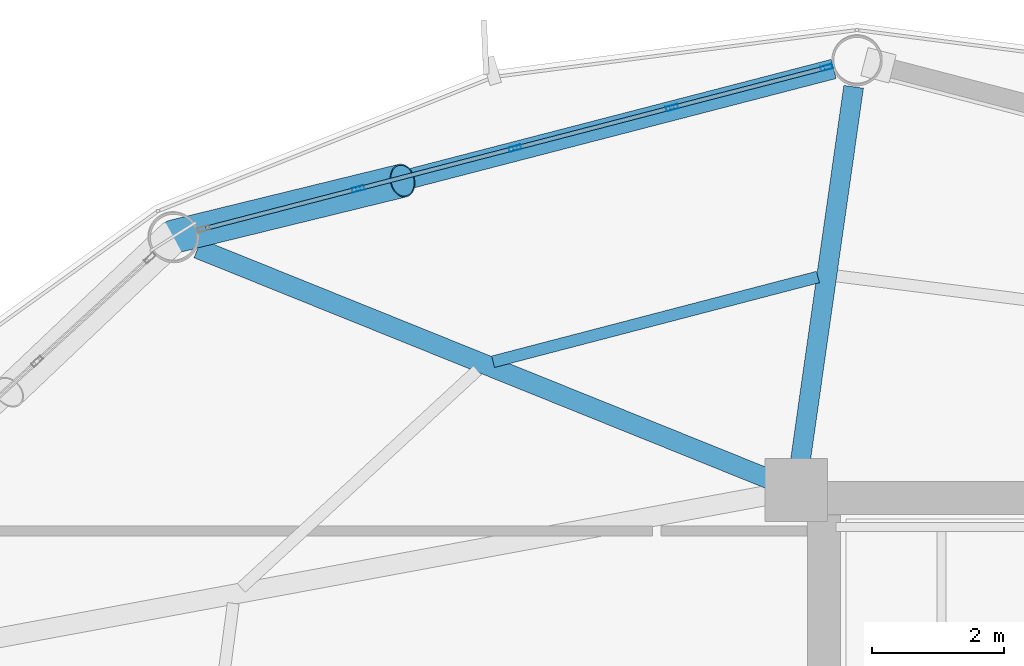
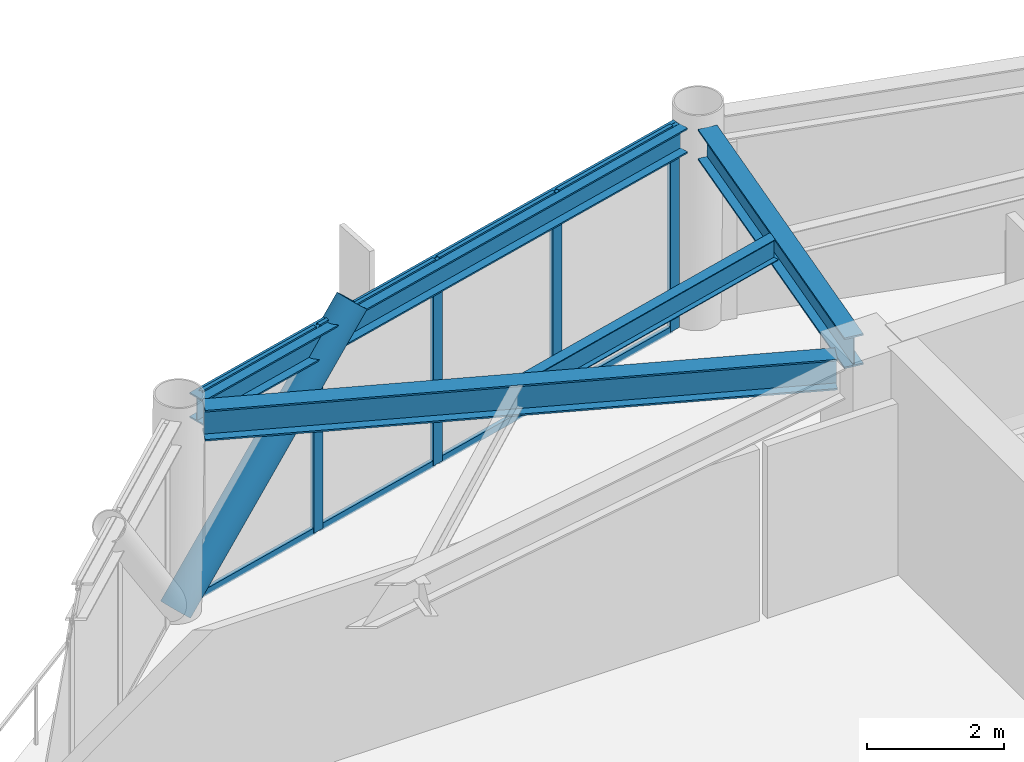
# One storey, part 17 of 25: 13 members, 4 beams, 1 element without a shape of its own.
"""IFC4 building model written with IfcOpenShell, lengths in metres."""

from ifc_helpers import new_model, si_unit, direction, frame, origin, origin_2d, place, context, subcontext, project, spatial, hollow_rectangle, hollow_circle, i_section, extrude, material, layer, layer_set, material_profile, profile_set, type_object, element, aggregate, save


model = new_model("IFC4")

# Units and contexts
model_context = context("Model", 3, precision=1e-05, world=origin(), true_north=direction((0.0, 1.0)))
body_context = subcontext(model_context, "Body", "Model", "MODEL_VIEW")
ifc_project = project(units=[si_unit("LENGTHUNIT", "METRE"), si_unit("AREAUNIT", "SQUARE_METRE"), si_unit("VOLUMEUNIT", "CUBIC_METRE"), si_unit("PLANEANGLEUNIT", "RADIAN"), si_unit("MASSUNIT", "GRAM", prefix="KILO")], contexts=[model_context])

# Site, building, storey
site_placement = place(None, origin())
site = spatial("IfcSite", under=ifc_project, at=site_placement, CompositionType="ELEMENT")
building_placement = place(site_placement, origin())
building = spatial("IfcBuilding", under=site, at=building_placement, Name="Varnakorn Sky Granary", CompositionType="ELEMENT")
storey_placement = place(building_placement, frame((0.0, 0.0, 146.10009765625)))
storey = spatial("IfcBuildingStorey", under=building, at=storey_placement, Name="L36", CompositionType="ELEMENT", Elevation=146.10009765625)

# Beams
ifc_material_1 = material(Name="Steel S355JR", Category="steel")
ifc_material_profile_1 = material_profile(ifc_material_1, i_section(OverallWidth=0.300048828125, OverallDepth=0.550048828125, WebThickness=0.014892578125, FlangeThickness=0.029052734375, at=origin_2d()), Name="HE 550 B")
ifc_profile_set_1 = profile_set([ifc_material_profile_1], Name="Steel S355JR")
beam_type_1 = type_object("IfcBeamType", Name="BM-RAD-Z3", PredefinedType="BEAM", material=ifc_profile_set_1)
beam_1_placement = place(storey_placement, frame((-2.36083984375, 13.035888671875, 3.364990234375), z_axis=(0.140826587961, 0.990034278257, 0.0), x_axis=(-0.990034278257, 0.140826587961, 0.0)))
element("IfcBeam", 1, at=beam_1_placement, inside=storey, type_object=beam_type_1, Name="Radial Floor Girder RG04 L36", PredefinedType="BEAM", context=body_context, shape_type="SweptSolid", body=[
    extrude(i_section(OverallWidth=0.300048828125, OverallDepth=0.550048828125, WebThickness=0.014892578125, FlangeThickness=0.029052734375, at=origin_2d()), origin(), (0.0, 0.0, 1.0), 5.7470703125),
])
beam_2_placement = place(storey_placement, frame((-2.8095703125, 12.777099609375, 3.364990234375), z_axis=(-0.927376487886, 0.374129455825, 0.0), x_axis=(-0.374129455825, -0.927376487886, 0.0)))
element("IfcBeam", 2, at=beam_2_placement, inside=storey, type_object=beam_type_1, Name="Radial Floor Girder RG05 L36", PredefinedType="BEAM", context=body_context, shape_type="SweptSolid", body=[
    extrude(i_section(OverallWidth=0.300048828125, OverallDepth=0.550048828125, WebThickness=0.014892578125, FlangeThickness=0.029052734375, at=origin_2d()), origin(), (0.0, 0.0, 1.0), 9.3544921875),
])
ifc_material_profile_2 = material_profile(ifc_material_1, i_section(OverallWidth=0.179931640625, OverallDepth=0.39990234375, WebThickness=0.008544921875, FlangeThickness=0.013427734375, at=origin_2d()), Name="IPE 400")
ifc_profile_set_2 = profile_set([ifc_material_profile_2], Name="Steel S355JR")
beam_type_2 = type_object("IfcBeamType", Name="BM-SEC-Z3", PredefinedType="BEAM", material=ifc_profile_set_2)
beam_3_placement = place(storey_placement, frame((-2.091796875, 15.845458984375, 3.43994140625), z_axis=(-0.967629509106, -0.252374985106, 0.0), x_axis=(0.252374985106, -0.967629509106, 0.0)))
element("IfcBeam", 3, at=beam_3_placement, inside=storey, type_object=beam_type_2, Name="Secondary Floor Chord Beam MSB04 L36", PredefinedType="BEAM", context=body_context, shape_type="SweptSolid", body=[
    extrude(i_section(OverallWidth=0.179931640625, OverallDepth=0.39990234375, WebThickness=0.008544921875, FlangeThickness=0.013427734375, at=origin_2d()), origin(), (0.0, 0.0, 1.0), 5.08447265625),
])
ifc_material_profile_3 = material_profile(ifc_material_1, i_section(OverallWidth=0.300048828125, OverallDepth=0.449951171875, WebThickness=0.013916015625, FlangeThickness=0.02587890625, at=origin_2d()), Name="HE 450 B")
ifc_profile_set_3 = profile_set([ifc_material_profile_3], Name="Steel S355JR")
beam_type_3 = type_object("IfcBeamType", Name="BM-SPD-Z3", PredefinedType="SPANDREL", material=ifc_profile_set_3)
beam_4_placement = place(storey_placement, frame((-1.854248046875, 18.99609375, 3.414794921875), z_axis=(-0.968056139534, -0.250733545243, 0.0), x_axis=(0.250733545243, -0.968056139534, 0.0)))
element("IfcBeam", 4, at=beam_4_placement, inside=storey, type_object=beam_type_3, Name="Perimeter Spandrel Ring Beam RB04 L36", PredefinedType="SPANDREL", context=body_context, shape_type="SweptSolid", body=[
    extrude(i_section(OverallWidth=0.300048828125, OverallDepth=0.449951171875, WebThickness=0.013916015625, FlangeThickness=0.02587890625, at=origin_2d()), origin(), (0.0, 0.0, 1.0), 9.932861328125),
])

# Curtain wall, members
ifc_material_2 = material(Name="Anodised Bronze Aluminium Alloy 6063-T6", Category="aluminium")
ifc_layer = layer(ifc_material_2, 0.179931640625, Name="Anodised Bronze Aluminium Alloy 6063-T6")
ifc_layer_set = layer_set([ifc_layer], Name="Anodised Bronze Aluminium Alloy 6063-T6")
curtain_wall_type = type_object("IfcCurtainWallType", Name="CW-FRM-2", PredefinedType="USERDEFINED", material=ifc_layer_set)
curtain_wall_placement = place(storey_placement, origin())
curtain_wall = element("IfcCurtainWall", 5, at=curtain_wall_placement, inside=storey, type_object=curtain_wall_type, Name="Unitised Curtain Wall CW4 CW-L36-B04", ObjectType="CURTAIN WALL", PredefinedType="USERDEFINED")
ifc_material_profile_4 = material_profile(ifc_material_2, hollow_rectangle(XDim=0.070068359375, YDim=0.18505859375, WallThickness=0.00390625, at=origin_2d()), Name="ALU MULL 70x185")
ifc_profile_set_4 = profile_set([ifc_material_profile_4], Name="Anodised Bronze Aluminium Alloy 6063-T6")
member_type_1 = type_object("IfcMemberType", Name="CW-FRM-2-MULL", PredefinedType="MULLION", material=ifc_profile_set_4)
member_1_placement = place(storey_placement, frame((-9.0546875, 17.1806640625, 0.0), z_axis=(0.0, 0.0, 1.0), x_axis=(-0.250559125851, 0.968101298653, 0.0)))
member_1 = element("IfcMember", 6, at=member_1_placement, type_object=member_type_1, Name="CW4 mullion 2", PredefinedType="MULLION", context=body_context, shape_type="SweptSolid", body=[
    extrude(hollow_rectangle(XDim=0.070068359375, YDim=0.18505859375, WallThickness=0.00390625, at=origin_2d()), origin(), (0.0, 0.0, 1.0), 3.639892578125),
])
member_2_placement = place(storey_placement, frame((-6.6787109375, 17.795654296875, 0.0), z_axis=(0.0, 0.0, 1.0), x_axis=(-0.250559125851, 0.968101298653, 0.0)))
member_2 = element("IfcMember", 7, at=member_2_placement, type_object=member_type_1, Name="CW4 mullion 3", PredefinedType="MULLION", context=body_context, shape_type="SweptSolid", body=[
    extrude(hollow_rectangle(XDim=0.070068359375, YDim=0.18505859375, WallThickness=0.00390625, at=origin_2d()), origin(), (0.0, 0.0, 1.0), 3.639892578125),
])
member_3_placement = place(storey_placement, frame((-4.302734375, 18.41064453125, 0.0), z_axis=(0.0, 0.0, 1.0), x_axis=(-0.250559125851, 0.968101298653, 0.0)))
member_3 = element("IfcMember", 8, at=member_3_placement, type_object=member_type_1, Name="CW4 mullion 4", PredefinedType="MULLION", context=body_context, shape_type="SweptSolid", body=[
    extrude(hollow_rectangle(XDim=0.070068359375, YDim=0.18505859375, WallThickness=0.00390625, at=origin_2d()), origin(), (0.0, 0.0, 1.0), 3.639892578125),
])
member_4_placement = place(storey_placement, frame((-1.960693359375, 19.016845703125, 0.0), z_axis=(0.0, 0.0, 1.0), x_axis=(-0.250559125851, 0.968101298653, 0.0)))
member_4 = element("IfcMember", 9, at=member_4_placement, type_object=member_type_1, Name="CW4 mullion 5", PredefinedType="MULLION", context=body_context, shape_type="SweptSolid", body=[
    extrude(hollow_rectangle(XDim=0.070068359375, YDim=0.18505859375, WallThickness=0.00390625, at=origin_2d()), origin(), (0.0, 0.0, 1.0), 3.639892578125),
])
ifc_material_profile_5 = material_profile(ifc_material_2, hollow_rectangle(XDim=0.06494140625, YDim=0.1201171875, WallThickness=0.00341796875, at=origin_2d()), Name="ALU TRAN 65x120")
ifc_profile_set_5 = profile_set([ifc_material_profile_5], Name="Anodised Bronze Aluminium Alloy 6063-T6")
member_type_2 = type_object("IfcMemberType", Name="CW-FRM-2-TRAN", PredefinedType="USERDEFINED", material=ifc_profile_set_5)
member_5_placement = place(storey_placement, frame((-11.36279296875, 16.583251953125, 0.032470703125), z_axis=(0.968097809837, 0.250572605423, 0.0), x_axis=(-0.250572605423, 0.968097809837, 0.0)))
member_5 = element("IfcMember", 10, at=member_5_placement, type_object=member_type_2, Name="CW4 transom 1.1", ObjectType="TRANSOM", PredefinedType="USERDEFINED", context=body_context, shape_type="SweptSolid", body=[
    extrude(hollow_rectangle(XDim=0.06494140625, YDim=0.1201171875, WallThickness=0.00341796875, at=origin_2d()), origin(), (0.0, 0.0, 1.0), 2.34912109375),
])
member_6_placement = place(storey_placement, frame((-11.36279296875, 16.583251953125, 3.607421875), z_axis=(0.968097809837, 0.250572605423, 0.0), x_axis=(-0.250572605423, 0.968097809837, 0.0)))
member_6 = element("IfcMember", 11, at=member_6_placement, type_object=member_type_2, Name="CW4 transom 1.2", ObjectType="TRANSOM", PredefinedType="USERDEFINED", context=body_context, shape_type="SweptSolid", body=[
    extrude(hollow_rectangle(XDim=0.06494140625, YDim=0.1201171875, WallThickness=0.00341796875, at=origin_2d()), origin(), (0.0, 0.0, 1.0), 2.34912109375),
])
member_7_placement = place(storey_placement, frame((-9.020751953125, 17.189453125, 0.032470703125), z_axis=(0.968097247162, 0.250574779332, 0.0), x_axis=(-0.250574779332, 0.968097247162, 0.0)))
member_7 = element("IfcMember", 12, at=member_7_placement, type_object=member_type_2, Name="CW4 transom 2.1", ObjectType="TRANSOM", PredefinedType="USERDEFINED", context=body_context, shape_type="SweptSolid", body=[
    extrude(hollow_rectangle(XDim=0.06494140625, YDim=0.1201171875, WallThickness=0.00341796875, at=origin_2d()), origin(), (0.0, 0.0, 1.0), 2.38427734375),
])
member_8_placement = place(storey_placement, frame((-9.020751953125, 17.189453125, 3.607421875), z_axis=(0.968097247162, 0.250574779332, 0.0), x_axis=(-0.250574779332, 0.968097247162, 0.0)))
member_8 = element("IfcMember", 13, at=member_8_placement, type_object=member_type_2, Name="CW4 transom 2.2", ObjectType="TRANSOM", PredefinedType="USERDEFINED", context=body_context, shape_type="SweptSolid", body=[
    extrude(hollow_rectangle(XDim=0.06494140625, YDim=0.1201171875, WallThickness=0.00341796875, at=origin_2d()), origin(), (0.0, 0.0, 1.0), 2.38427734375),
])
member_9_placement = place(storey_placement, frame((-6.644775390625, 17.804443359375, 0.032470703125), z_axis=(0.968097247162, 0.250574779332, 0.0), x_axis=(-0.250574779332, 0.968097247162, 0.0)))
member_9 = element("IfcMember", 14, at=member_9_placement, type_object=member_type_2, Name="CW4 transom 3.1", ObjectType="TRANSOM", PredefinedType="USERDEFINED", context=body_context, shape_type="SweptSolid", body=[
    extrude(hollow_rectangle(XDim=0.06494140625, YDim=0.1201171875, WallThickness=0.00341796875, at=origin_2d()), origin(), (0.0, 0.0, 1.0), 2.38427734375),
])
member_10_placement = place(storey_placement, frame((-6.644775390625, 17.804443359375, 3.607421875), z_axis=(0.968097247162, 0.250574779332, 0.0), x_axis=(-0.250574779332, 0.968097247162, 0.0)))
member_10 = element("IfcMember", 15, at=member_10_placement, type_object=member_type_2, Name="CW4 transom 3.2", ObjectType="TRANSOM", PredefinedType="USERDEFINED", context=body_context, shape_type="SweptSolid", body=[
    extrude(hollow_rectangle(XDim=0.06494140625, YDim=0.1201171875, WallThickness=0.00341796875, at=origin_2d()), origin(), (0.0, 0.0, 1.0), 2.38427734375),
])
member_11_placement = place(storey_placement, frame((-4.26904296875, 18.41943359375, 0.032470703125), z_axis=(0.968104334199, 0.250547396925, 0.0), x_axis=(-0.250547396925, 0.968104334199, 0.0)))
member_11 = element("IfcMember", 16, at=member_11_placement, type_object=member_type_2, Name="CW4 transom 4.1", ObjectType="TRANSOM", PredefinedType="USERDEFINED", context=body_context, shape_type="SweptSolid", body=[
    extrude(hollow_rectangle(XDim=0.06494140625, YDim=0.1201171875, WallThickness=0.00341796875, at=origin_2d()), origin(), (0.0, 0.0, 1.0), 2.349365234375),
])
member_12_placement = place(storey_placement, frame((-4.26904296875, 18.41943359375, 3.607421875), z_axis=(0.968104334199, 0.250547396925, 0.0), x_axis=(-0.250547396925, 0.968104334199, 0.0)))
member_12 = element("IfcMember", 17, at=member_12_placement, type_object=member_type_2, Name="CW4 transom 4.2", ObjectType="TRANSOM", PredefinedType="USERDEFINED", context=body_context, shape_type="SweptSolid", body=[
    extrude(hollow_rectangle(XDim=0.06494140625, YDim=0.1201171875, WallThickness=0.00341796875, at=origin_2d()), origin(), (0.0, 0.0, 1.0), 2.349365234375),
])
aggregate(curtain_wall, [member_1, member_2, member_3, member_4, member_5, member_6, member_7, member_8, member_9, member_10, member_11, member_12])

# Member
ifc_material_3 = material(Name="Steel S460M", Category="steel")
ifc_material_profile_6 = material_profile(ifc_material_3, hollow_circle(Radius=0.25390625, WallThickness=0.01806640625, at=origin_2d()), Name="CHS 508x18")
ifc_profile_set_6 = profile_set([ifc_material_profile_6], Name="Steel S460M")
member_type_3 = type_object("IfcMemberType", Name="MB-DIAG-T2", PredefinedType="BRACE", material=ifc_profile_set_6)
member_13_placement = place(storey_placement, frame((-11.857421875, 16.455322265625, 0.0), z_axis=(0.666744495624, 0.163078807565, 0.727225604664), x_axis=(-0.237586189737, 0.971366461458, 0.0)))
element("IfcMember", 18, at=member_13_placement, inside=storey, type_object=member_type_3, Name="Perimeter CHS Diagrid Brace DG04 L36", PredefinedType="BRACE", context=body_context, shape_type="SweptSolid", body=[
    extrude(hollow_circle(Radius=0.25390625, WallThickness=0.01806640625, at=origin_2d()), origin(), (0.0, 0.0, 1.0), 5.21142578125),
])

save(model, "model.ifc")
